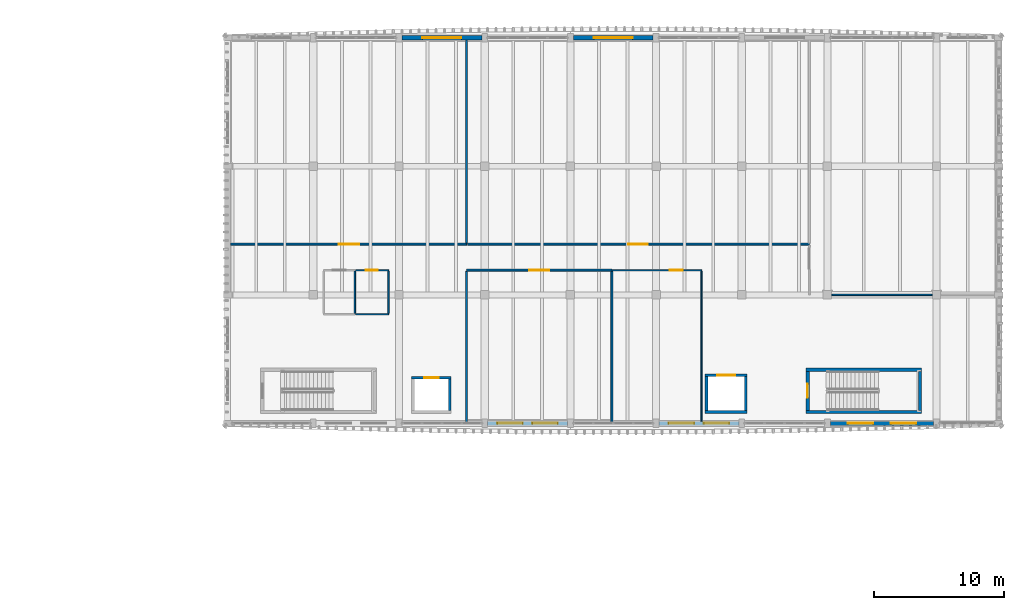
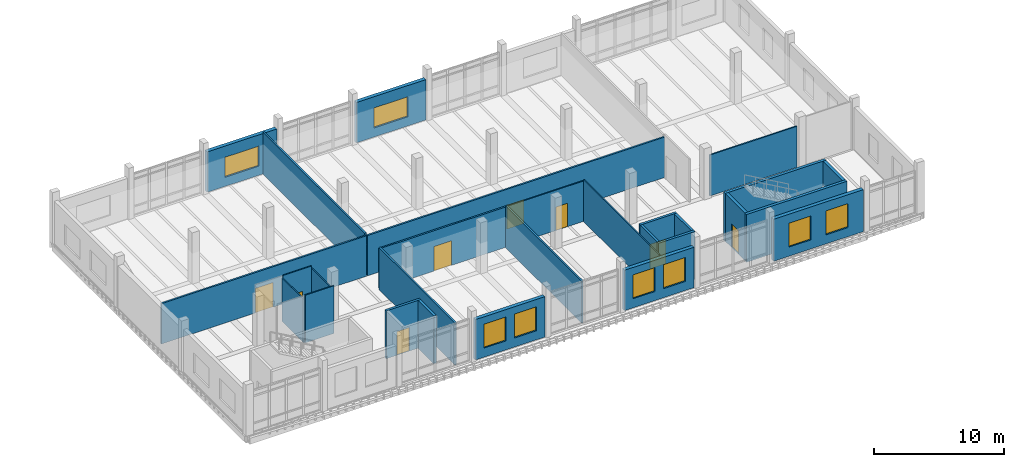
# One storey, part 32 of 50: 28 walls, 8 doors, 8 windows, 16 openings.
"""IFC4 building model written with IfcOpenShell, lengths in metres."""

import ifcopenshell
import ifcopenshell.guid

model = None  # the IFC model being written
_history = None  # IfcOwnerHistory: only IFC2X3 demands one
_inside = {}  # id of a spatial element -> (the spatial element, [elements in it])
_under = {}  # id of a project, library or spatial element -> (it, [spatial elements below it])
_declared = {}  # id of a project -> (the project, [libraries it declares])
_typed = {}  # id of a type object -> (the type object, [elements of that type])
_made_of = {}  # id of a material, layer set ... -> (it, [elements and type objects made of it])


def new_model(schema):
    """Start an empty IFC model of exactly this schema.

    Asked for "IFC4X3", IfcOpenShell would pick the latest addendum, in which some entities
    have other attributes; the version numbers below select the first issue.
    IFC2X3 requires an IfcOwnerHistory on every rooted entity: one is made here for all.
    """
    global model, _history
    if schema == "IFC4X3":
        model = ifcopenshell.file(schema_version=(4, 3, 0, 0))
    else:
        model = ifcopenshell.file(schema=schema)
    _inside.clear()
    _under.clear()
    _declared.clear()
    _typed.clear()
    _made_of.clear()
    _history = None
    if model.schema == "IFC2X3":
        org = make("IfcOrganization", Name="unknown")
        user = make(
            "IfcPersonAndOrganization",
            ThePerson=make("IfcPerson", FamilyName="unknown"),
            TheOrganization=org,
        )
        app = make(
            "IfcApplication",
            ApplicationDeveloper=org,
            Version="unknown",
            ApplicationFullName="unknown",
            ApplicationIdentifier="unknown",
        )
        _history = make(
            "IfcOwnerHistory",
            OwningUser=user,
            OwningApplication=app,
            ChangeAction="ADDED",
            CreationDate=0,
        )
    return model


def make(cls, **values):
    """One entity of the class cls with the attributes given. An attribute that is None is left unset."""
    return model.create_entity(
        cls, **{name: value for name, value in values.items() if value is not None}
    )


def rooted(cls, **values):
    """An entity with a GlobalId (a new one), such as an element, a storey or a relation."""
    return make(cls, GlobalId=ifcopenshell.guid.new(), OwnerHistory=_history, **values)


def si_unit(unit_type, name, prefix=None):
    """IfcSIUnit, for example si_unit("LENGTHUNIT", "METRE", prefix="MILLI")."""
    return make("IfcSIUnit", UnitType=unit_type, Prefix=prefix, Name=name)


def assignment(units):
    """IfcUnitAssignment: the units of a project."""
    return None if units is None else make("IfcUnitAssignment", Units=units)


def point(xyz):
    """IfcCartesianPoint."""
    return None if xyz is None else make("IfcCartesianPoint", Coordinates=xyz)


def direction(xyz):
    """IfcDirection."""
    return None if xyz is None else make("IfcDirection", DirectionRatios=xyz)


def frame(location, z_axis=None, x_axis=None):
    """IfcAxis2Placement3D, a coordinate frame: its origin and axes. An axis left out is left unset."""
    return make(
        "IfcAxis2Placement3D",
        Location=point(location),
        Axis=direction(z_axis),
        RefDirection=direction(x_axis),
    )


def frame_2d(location, x_axis=None):
    """IfcAxis2Placement2D, a coordinate frame in the plane: its origin and x axis."""
    return make(
        "IfcAxis2Placement2D", Location=point(location), RefDirection=direction(x_axis)
    )


def origin():
    """The frame at (0, 0, 0) with its axes left unset."""
    return frame((0.0, 0.0, 0.0))


def place(relative_to, where):
    """IfcLocalPlacement: puts the frame where relative to a parent placement (None: the world)."""
    return make(
        "IfcLocalPlacement", PlacementRelTo=relative_to, RelativePlacement=where
    )


def context(
    kind, dimensions, precision=None, world=None, true_north=None, identifier=None
):
    """IfcGeometricRepresentationContext, for example the 3D "Model" context."""
    return make(
        "IfcGeometricRepresentationContext",
        ContextIdentifier=identifier,
        ContextType=kind,
        CoordinateSpaceDimension=dimensions,
        Precision=precision,
        WorldCoordinateSystem=world,
        TrueNorth=true_north,
    )


def subcontext(parent, identifier, kind, view, scale=None):
    """IfcGeometricRepresentationSubContext, for example "Body" below "Model"."""
    return make(
        "IfcGeometricRepresentationSubContext",
        ContextIdentifier=identifier,
        ContextType=kind,
        ParentContext=parent,
        TargetScale=scale,
        TargetView=view,
    )


def project(units=None, contexts=None):
    """IfcProject with its units and contexts."""
    return rooted(
        "IfcProject",
        Name="project",
        RepresentationContexts=contexts,
        UnitsInContext=assignment(units),
    )


def spatial(cls, under=None, at=None, **own):
    """A site, building, storey or space (cls), placed at a placement, below another one or the project."""
    s = rooted(cls, ObjectPlacement=at, **own)
    if under is not None:
        _under.setdefault(under.id(), (under, []))[1].append(s)
    return s


def profile(cls, at=None, kind="AREA", **sizes):
    """A parametric profile (cls). Its sizes go by their IFC names, for example OverallWidth=200.0."""
    return make(cls, ProfileType=kind, Position=at, **sizes)


def rectangle(**sizes):
    """IfcRectangleProfileDef."""
    return profile("IfcRectangleProfileDef", **sizes)


def extrude(swept, where, along, depth):
    """IfcExtrudedAreaSolid: the profile swept, set in the frame where, extruded along a direction by depth."""
    return make(
        "IfcExtrudedAreaSolid",
        SweptArea=swept,
        Position=where,
        ExtrudedDirection=direction(along),
        Depth=depth,
    )


def shape(context_of_items, identifier, shape_type, items):
    """IfcShapeRepresentation: the items that make up one representation, for example the "Body"."""
    return make(
        "IfcShapeRepresentation",
        ContextOfItems=context_of_items,
        RepresentationIdentifier=identifier,
        RepresentationType=shape_type,
        Items=items,
    )


def material(Name=None, Category=None):
    """IfcMaterial."""
    return make("IfcMaterial", Name=Name, Category=Category)


def layer(
    of_material, thickness, ventilated=None, Name=None, Category=None, Priority=None
):
    """IfcMaterialLayer: one layer of a wall or slab, of a material (None: an air gap)."""
    return make(
        "IfcMaterialLayer",
        Material=of_material,
        LayerThickness=thickness,
        IsVentilated=ventilated,
        Name=Name,
        Category=Category,
        Priority=Priority,
    )


def layer_set(layers, Name=None):
    """IfcMaterialLayerSet."""
    return make("IfcMaterialLayerSet", MaterialLayers=layers, LayerSetName=Name)


def made_of(thing, what):
    """Note that an element or type object is made of a material, layer set ...; save() writes the relation."""
    if what is not None:
        _made_of.setdefault(what.id(), (what, []))[1].append(thing)
    return thing


def type_object(cls, material=None, **own):
    """A type object (cls), such as IfcWallType, which elements share."""
    return made_of(rooted(cls, **own), material)


def element(
    cls,
    number,
    at=None,
    inside=None,
    cuts=None,
    type_object=None,
    material=None,
    context=None,
    identifier="Body",
    shape_type=None,
    held_by="IfcProductDefinitionShape",
    body=None,
    shapes=None,
    **own,
):
    """One element of the class cls, such as IfcWall. Its Tag is "e" and its number.

    at: its placement. inside: the storey or other place that contains it. cuts: it is an
    opening in that element (IfcRelVoidsElement). A single representation is given by context,
    identifier, shape_type and body (its items); several are given by shapes. held_by: the class
    of the entity that holds the representations. save() writes the other relations.
    """
    e = rooted(cls, Tag="e%d" % number, ObjectPlacement=at, **own)
    if body is not None:
        shapes = [shape(context, identifier, shape_type, body)]
    if shapes is not None:
        e.Representation = make(held_by, Representations=shapes)
    if inside is not None:
        _inside.setdefault(inside.id(), (inside, []))[1].append(e)
    if cuts is not None:
        rooted(
            "IfcRelVoidsElement", RelatingBuildingElement=cuts, RelatedOpeningElement=e
        )
    if type_object is not None:
        _typed.setdefault(type_object.id(), (type_object, []))[1].append(e)
    return made_of(e, material)


def fill(opening, filler):
    """IfcRelFillsElement: the door or window that sits in an opening."""
    return rooted(
        "IfcRelFillsElement",
        RelatingOpeningElement=opening,
        RelatedBuildingElement=filler,
    )


def aggregate(whole, parts):
    """IfcRelAggregates: a whole, such as a stair, and the parts it consists of."""
    return rooted("IfcRelAggregates", RelatingObject=whole, RelatedObjects=parts)


def save(model, path):
    """Write the relations noted so far, then the file.

    IfcRelAggregates (storeys below a building ...), IfcRelContainedInSpatialStructure (elements
    in a storey), IfcRelDefinesByType, IfcRelAssociatesMaterial and IfcRelDeclares: one each for
    every whole, place, type object, material and project.
    """
    for whole, parts in _under.values():
        aggregate(whole, parts)
    for where, things in _inside.values():
        rooted(
            "IfcRelContainedInSpatialStructure",
            RelatedElements=things,
            RelatingStructure=where,
        )
    for kind, things in _typed.values():
        rooted("IfcRelDefinesByType", RelatedObjects=things, RelatingType=kind)
    for what, things in _made_of.values():
        rooted("IfcRelAssociatesMaterial", RelatedObjects=things, RelatingMaterial=what)
    for by, libraries in _declared.values():
        rooted("IfcRelDeclares", RelatingContext=by, RelatedDefinitions=libraries)
    model.write(path)


model = new_model("IFC4")

# Units and contexts
model_context = context("Model", 3, precision=1e-05, world=origin(), true_north=direction((0.0, 1.0)))
body_context = subcontext(model_context, "Body", "Model", "MODEL_VIEW")
ifc_project = project(units=[si_unit("LENGTHUNIT", "METRE"), si_unit("AREAUNIT", "SQUARE_METRE"), si_unit("VOLUMEUNIT", "CUBIC_METRE"), si_unit("PLANEANGLEUNIT", "RADIAN"), si_unit("MASSUNIT", "GRAM", prefix="KILO")], contexts=[model_context])

# Site, building, storey
site_placement = place(None, origin())
site = spatial("IfcSite", under=ifc_project, at=site_placement, CompositionType="ELEMENT")
building_placement = place(site_placement, origin())
building = spatial("IfcBuilding", under=site, at=building_placement, Name="Dornvale Research Institute", CompositionType="ELEMENT")
storey_placement = place(building_placement, frame((0.0, 0.0, 19.800048828125)))
storey = spatial("IfcBuildingStorey", under=building, at=storey_placement, Name="L04", CompositionType="ELEMENT", Elevation=19.800048828125)

# Wall
ifc_material_1 = material(Name="Acoustic Insulated Double-Stud Laboratory Partition")
ifc_layer_1 = layer(ifc_material_1, 0.1201171875)
ifc_layer_set_1 = layer_set([ifc_layer_1], Name="Acoustic Insulated Double-Stud Laboratory Partition")
wall_type_1 = type_object("IfcWallType", Name="Partition_Dry_120", PredefinedType="PARTITIONING", material=ifc_layer_set_1)
wall_1_placement = place(storey_placement, frame((165.344970703125, 102.300048828125, 0.0), z_axis=(0.0, 0.0, 1.0), x_axis=(1.0, 0.0, 0.0)))
element("IfcWall", 1, at=wall_1_placement, inside=storey, type_object=wall_type_1, Name="L04 V4 interior partition #437", PredefinedType="PARTITIONING", context=body_context, shape_type="SweptSolid", body=[
    extrude(rectangle(XDim=7.7099609375, YDim=0.1201171875, at=frame_2d((3.85498046875, 0.0))), origin(), (0.0, 0.0, 1.0), 3.829833984375),
])

# Wall, opening, door
ifc_material_2 = material(Name="Acoustic Insulated Double-Stud Laboratory Partition")
ifc_layer_2 = layer(ifc_material_2, 0.14990234375)
ifc_layer_set_2 = layer_set([ifc_layer_2], Name="Acoustic Insulated Double-Stud Laboratory Partition")
wall_type_2 = type_object("IfcWallType", Name="Partition_Lab_150", PredefinedType="PARTITIONING", material=ifc_layer_set_2)
wall_2_placement = place(storey_placement, frame((119.0400390625, 106.199951171875, 0.0), z_axis=(0.0, 0.0, 1.0), x_axis=(1.0, 0.0, 0.0)))
wall_2 = element("IfcWall", 2, at=wall_2_placement, inside=storey, type_object=wall_type_2, Name="L04 V4 interior partition #433", PredefinedType="PARTITIONING", context=body_context, shape_type="SweptSolid", body=[
    extrude(rectangle(XDim=18.159912109375, YDim=0.14990234375, at=frame_2d((9.080078125, 0.0))), origin(), (0.0, 0.0, 1.0), 3.780029296875),
])
opening_1_placement = place(wall_2_placement, frame((8.320068359375, 0.0, 0.0)))
opening_1 = element("IfcOpeningElement", 3, at=opening_1_placement, cuts=wall_2, Name="Opening ID-05", PredefinedType="OPENING", context=body_context, shape_type="SweptSolid", body=[
    extrude(rectangle(XDim=1.56005859375, YDim=2.300048828125, at=frame_2d((0.780029296875, 1.14990234375))), frame((0.0, 0.08984375, 0.0), z_axis=(0.0, -1.0, 0.0), x_axis=(1.0, 0.0, 0.0)), (0.0, 0.0, 1.0), 0.179931640625),
])
ifc_material_3 = material(Name="Insulated Fire-Rated Hollow Metal Door Assembly")
door_type_1 = type_object("IfcDoorType", Name="Door_WetLab_1560x2300", OperationType="SINGLE_SWING_LEFT", PredefinedType="DOOR", material=ifc_material_3)
door_1_placement = place(opening_1_placement, origin())
door_1 = element("IfcDoor", 4, at=door_1_placement, inside=storey, type_object=door_type_1, Name="L04 Environmental Geochemistry Wet Laboratory door #176", OperationType="SINGLE_SWING_LEFT", OverallHeight=2.300048828125, OverallWidth=1.56005859375, PredefinedType="DOOR", context=body_context, shape_type="SweptSolid", body=[
    extrude(rectangle(XDim=1.56005859375, YDim=2.300048828125, at=frame_2d((0.780029296875, 1.14990234375))), frame((0.0, 0.02490234375, 0.0), z_axis=(0.0, -1.0, 0.0), x_axis=(1.0, 0.0, 0.0)), (0.0, 0.0, 1.0), 0.050048828125),
])
fill(opening_1, door_1)

# Wall
wall_3_placement = place(storey_placement, frame((137.199951171875, 106.2900390625, 0.0), z_axis=(0.0, 0.0, 1.0), x_axis=(0.0, 1.0, 0.0)))
element("IfcWall", 5, at=wall_3_placement, inside=storey, type_object=wall_type_2, Name="L04 V4 interior partition #434", PredefinedType="PARTITIONING", context=body_context, shape_type="SweptSolid", body=[
    extrude(rectangle(XDim=15.635009765625, YDim=0.14990234375, at=frame_2d((7.8173828125, 0.0))), origin(), (0.0, 0.0, 1.0), 3.929931640625),
])

# Wall, opening, door
wall_4_placement = place(storey_placement, frame((137.2900390625, 106.199951171875, 0.0), z_axis=(0.0, 0.0, 1.0), x_axis=(1.0, 0.0, 0.0)))
wall_4 = element("IfcWall", 6, at=wall_4_placement, inside=storey, type_object=wall_type_2, Name="L04 V4 interior partition #435", PredefinedType="PARTITIONING", context=body_context, shape_type="SweptSolid", body=[
    extrude(rectangle(XDim=26.31005859375, YDim=0.14990234375, at=frame_2d((13.155029296875, 0.0))), origin(), (0.0, 0.0, 1.0), 3.780029296875),
])
opening_2_placement = place(wall_4_placement, frame((12.360107421875, 0.0, 0.0)))
opening_2 = element("IfcOpeningElement", 7, at=opening_2_placement, cuts=wall_4, Name="Opening ID-06", PredefinedType="OPENING", context=body_context, shape_type="SweptSolid", body=[
    extrude(rectangle(XDim=1.5, YDim=2.25, at=frame_2d((0.75, 1.125))), frame((0.0, 0.08984375, 0.0), z_axis=(0.0, -1.0, 0.0), x_axis=(1.0, 0.0, 0.0)), (0.0, 0.0, 1.0), 0.179931640625),
])
ifc_material_4 = material(Name="Insulated Fire-Rated Hollow Metal Door Assembly")
door_type_2 = type_object("IfcDoorType", Name="Door_WetLab_1500x2250", OperationType="SINGLE_SWING_LEFT", PredefinedType="DOOR", material=ifc_material_4)
door_2_placement = place(opening_2_placement, origin())
door_2 = element("IfcDoor", 8, at=door_2_placement, inside=storey, type_object=door_type_2, Name="L04 Biomolecular NMR Spectroscopy Suite door #177", OperationType="SINGLE_SWING_RIGHT", OverallHeight=2.25, OverallWidth=1.5, PredefinedType="DOOR", context=body_context, shape_type="SweptSolid", body=[
    extrude(rectangle(XDim=1.5, YDim=2.25, at=frame_2d((0.75, 1.125))), frame((0.0, 0.02490234375, 0.0), z_axis=(0.0, -1.0, 0.0), x_axis=(1.0, 0.0, 0.0)), (0.0, 0.0, 1.0), 0.050048828125),
])
fill(opening_2, door_2)

wall_5_placement = place(storey_placement, frame((137.199951171875, 104.199951171875, 0.0), z_axis=(0.0, 0.0, 1.0), x_axis=(1.0, 0.0, 0.0)))
wall_5 = element("IfcWall", 9, at=wall_5_placement, inside=storey, type_object=wall_type_2, Name="L04 V4 interior partition #440", PredefinedType="PARTITIONING", context=body_context, shape_type="SweptSolid", body=[
    extrude(rectangle(XDim=11.199951171875, YDim=0.14990234375, at=frame_2d((5.60009765625, 0.0))), origin(), (0.0, 0.0, 1.0), 3.780029296875),
])
opening_3_placement = place(wall_5_placement, frame((4.820068359375, 0.0, 0.0)))
opening_3 = element("IfcOpeningElement", 10, at=opening_3_placement, cuts=wall_5, Name="Opening ID-05", PredefinedType="OPENING", context=body_context, shape_type="SweptSolid", body=[
    extrude(rectangle(XDim=1.56005859375, YDim=2.300048828125, at=frame_2d((0.780029296875, 1.14990234375))), frame((0.0, 0.08984375, 0.0), z_axis=(0.0, -1.0, 0.0), x_axis=(1.0, 0.0, 0.0)), (0.0, 0.0, 1.0), 0.179931640625),
])
door_3_placement = place(opening_3_placement, origin())
door_3 = element("IfcDoor", 11, at=door_3_placement, inside=storey, type_object=door_type_1, Name="L04 Laboratory Instrument Support Room L04 door #179", OperationType="SINGLE_SWING_RIGHT", OverallHeight=2.300048828125, OverallWidth=1.56005859375, PredefinedType="DOOR", context=body_context, shape_type="SweptSolid", body=[
    extrude(rectangle(XDim=1.56005859375, YDim=2.300048828125, at=frame_2d((0.780029296875, 1.14990234375))), frame((0.0, 0.02490234375, 0.0), z_axis=(0.0, -1.0, 0.0), x_axis=(1.0, 0.0, 0.0)), (0.0, 0.0, 1.0), 0.050048828125),
])
fill(opening_3, door_3)

# Walls
for number, where, z_axis, x_axis, name in (
    (12, (137.199951171875, 92.43994140625, 0.0), (0.0, 0.0, 1.0), (0.0, 1.0, 0.0), "L04 V4 interior partition #441"),
    (13, (148.39990234375, 92.43994140625, 0.0), (0.0, 0.0, 1.0), (0.0, 1.0, 0.0), "L04 V4 interior partition #442"),
):
    element("IfcWall", number, at=place(storey_placement, frame(where, z_axis=z_axis, x_axis=x_axis)), inside=storey, type_object=wall_type_2, Name=name, PredefinedType="PARTITIONING", context=body_context, shape_type="SweptSolid", body=[
        extrude(rectangle(XDim=11.670166015625, YDim=0.14990234375, at=frame_2d((5.8349609375, 0.0))), origin(), (0.0, 0.0, 1.0), 3.929931640625),
    ])
ifc_material_5 = material(Name="Acoustic Insulated Double-Stud Laboratory Partition")
ifc_layer_3 = layer(ifc_material_5, 0.10009765625)
ifc_layer_set_3 = layer_set([ifc_layer_3], Name="Acoustic Insulated Double-Stud Laboratory Partition")
wall_type_3 = type_object("IfcWallType", Name="Partition_Office_100", PredefinedType="PARTITIONING", material=ifc_layer_set_3)
wall_6_placement = place(storey_placement, frame((128.60009765625, 100.864990234375, 0.0), z_axis=(0.0, 0.0, 1.0), x_axis=(0.0, 1.0, 0.0)))
element("IfcWall", 14, at=wall_6_placement, inside=storey, type_object=wall_type_3, Name="L04 V4 interior partition #429", PredefinedType="PARTITIONING", context=body_context, shape_type="SweptSolid", body=[
    extrude(rectangle(XDim=3.27001953125, YDim=0.10009765625, at=frame_2d((1.635009765625, 0.0))), origin(), (0.0, 0.0, 1.0), 4.06494140625),
])
wall_7_placement = place(storey_placement, frame((128.6650390625, 100.800048828125, 0.0), z_axis=(0.0, 0.0, 1.0), x_axis=(1.0, 0.0, 0.0)))
element("IfcWall", 15, at=wall_7_placement, inside=storey, type_object=wall_type_3, Name="L04 V4 interior partition #430", PredefinedType="PARTITIONING", context=body_context, shape_type="SweptSolid", body=[
    extrude(rectangle(XDim=2.534912109375, YDim=0.10009765625, at=frame_2d((1.267578125, 0.0))), origin(), (0.0, 0.0, 1.0), 4.4599609375),
])

# Wall, opening, door
wall_8_placement = place(storey_placement, frame((128.6650390625, 104.199951171875, 0.0), z_axis=(0.0, 0.0, 1.0), x_axis=(1.0, 0.0, 0.0)))
wall_8 = element("IfcWall", 16, at=wall_8_placement, inside=storey, type_object=wall_type_3, Name="L04 V4 interior partition #431", PredefinedType="PARTITIONING", context=body_context, shape_type="SweptSolid", body=[
    extrude(rectangle(XDim=2.534912109375, YDim=0.10009765625, at=frame_2d((1.267578125, 0.0))), origin(), (0.0, 0.0, 1.0), 4.244873046875),
])
opening_4_placement = place(wall_8_placement, frame((0.760009765625, 0.0, 0.0)))
opening_4 = element("IfcOpeningElement", 17, at=opening_4_placement, cuts=wall_8, Name="Opening ID-23", PredefinedType="OPENING", context=body_context, shape_type="SweptSolid", body=[
    extrude(rectangle(XDim=0.949951171875, YDim=2.14990234375, at=frame_2d((0.47509765625, 1.074951171875))), frame((0.0, 0.06494140625, 0.0), z_axis=(0.0, -1.0, 0.0), x_axis=(1.0, 0.0, 0.0)), (0.0, 0.0, 1.0), 0.130126953125),
])
ifc_material_6 = material(Name="Phenolic-Faced Solid-Core Laboratory Door Assembly")
door_type_3 = type_object("IfcDoorType", Name="Door_WC_950x2150", OperationType="SINGLE_SWING_LEFT", PredefinedType="DOOR", material=ifc_material_6)
door_4_placement = place(opening_4_placement, origin())
door_4 = element("IfcDoor", 18, at=door_4_placement, inside=storey, type_object=door_type_3, Name="L04 Wet Wing Female and Accessible Restroom L04 door #175", OperationType="SINGLE_SWING_RIGHT", OverallHeight=2.14990234375, OverallWidth=0.949951171875, PredefinedType="DOOR", context=body_context, shape_type="SweptSolid", body=[
    extrude(rectangle(XDim=0.949951171875, YDim=2.14990234375, at=frame_2d((0.47509765625, 1.074951171875))), frame((0.0, 0.02490234375, 0.0), z_axis=(0.0, -1.0, 0.0), x_axis=(1.0, 0.0, 0.0)), (0.0, 0.0, 1.0), 0.050048828125),
])
fill(opening_4, door_4)

# Wall
wall_9_placement = place(storey_placement, frame((131.199951171875, 100.864990234375, 0.0), z_axis=(0.0, 0.0, 1.0), x_axis=(0.0, 1.0, 0.0)))
element("IfcWall", 19, at=wall_9_placement, inside=storey, type_object=wall_type_3, Name="L04 V4 interior partition #432", PredefinedType="PARTITIONING", context=body_context, shape_type="SweptSolid", body=[
    extrude(rectangle(XDim=3.27001953125, YDim=0.10009765625, at=frame_2d((1.635009765625, 0.0))), origin(), (0.0, 0.0, 1.0), 4.06494140625),
])

# Wall, opening, door
wall_10_placement = place(storey_placement, frame((148.4150390625, 104.199951171875, 0.0), z_axis=(0.0, 0.0, 1.0), x_axis=(1.0, 0.0, 0.0)))
wall_10 = element("IfcWall", 20, at=wall_10_placement, inside=storey, type_object=wall_type_3, Name="L04 V4 interior partition #443", PredefinedType="PARTITIONING", context=body_context, shape_type="SweptSolid", body=[
    extrude(rectangle(XDim=6.885009765625, YDim=0.10009765625, at=frame_2d((3.4423828125, 0.0))), origin(), (0.0, 0.0, 1.0), 3.780029296875),
])
opening_5_placement = place(wall_10_placement, frame((4.425048828125, 0.0, 0.0)))
opening_5 = element("IfcOpeningElement", 21, at=opening_5_placement, cuts=wall_10, Name="Opening ID-20", PredefinedType="OPENING", context=body_context, shape_type="SweptSolid", body=[
    extrude(rectangle(XDim=1.02001953125, YDim=2.199951171875, at=frame_2d((0.510009765625, 1.10009765625))), frame((0.0, 0.06494140625, 0.0), z_axis=(0.0, -1.0, 0.0), x_axis=(1.0, 0.0, 0.0)), (0.0, 0.0, 1.0), 0.130126953125),
])
ifc_material_7 = material(Name="Phenolic-Faced Solid-Core Laboratory Door Assembly")
door_type_4 = type_object("IfcDoorType", Name="Door_WriteUp_1020x2200", OperationType="SINGLE_SWING_LEFT", PredefinedType="DOOR", material=ifc_material_7)
door_5_placement = place(opening_5_placement, origin())
door_5 = element("IfcDoor", 22, at=door_5_placement, inside=storey, type_object=door_type_4, Name="L04 Wet Laboratory Write-Up Bays L04 door #180", OperationType="SINGLE_SWING_LEFT", OverallHeight=2.199951171875, OverallWidth=1.02001953125, PredefinedType="DOOR", context=body_context, shape_type="SweptSolid", body=[
    extrude(rectangle(XDim=1.02001953125, YDim=2.199951171875, at=frame_2d((0.510009765625, 1.10009765625))), frame((0.0, 0.02490234375, 0.0), z_axis=(0.0, -1.0, 0.0), x_axis=(1.0, 0.0, 0.0)), (0.0, 0.0, 1.0), 0.050048828125),
])
fill(opening_5, door_5)

# Walls
wall_11_placement = place(storey_placement, frame((155.300048828125, 92.574951171875, 0.0), z_axis=(0.0, 0.0, 1.0), x_axis=(0.0, 1.0, 0.0)))
element("IfcWall", 23, at=wall_11_placement, inside=storey, type_object=wall_type_3, Name="L04 V4 interior partition #444", PredefinedType="PARTITIONING", context=body_context, shape_type="SweptSolid", body=[
    extrude(rectangle(XDim=11.56005859375, YDim=0.10009765625, at=frame_2d((5.780029296875, 0.0))), origin(), (0.0, 0.0, 1.0), 3.929931640625),
])
ifc_material_8 = material(Name="Concrete f'c 45 MPa (C35/45)", Category="concrete")
ifc_layer_4 = layer(ifc_material_8, 0.25)
ifc_layer_set_4 = layer_set([ifc_layer_4], Name="Concrete f'c 45 MPa (C35/45)")
wall_type_4 = type_object("IfcWallType", Name="ShearWall_Core_250", PredefinedType="SHEAR", material=ifc_layer_set_4)
for number, where, z_axis, x_axis, name in (
    (24, (163.35009765625, 93.27490234375, 0.0), (0.0, 0.0, 1.0), (1.0, 0.0, 0.0), "L04 ST-4 shaft shear wall south"),
    (25, (163.35009765625, 96.52490234375, 0.0), (0.0, 0.0, 1.0), (1.0, 0.0, 0.0), "L04 ST-4 shaft shear wall north"),
):
    element("IfcWall", number, at=place(storey_placement, frame(where, z_axis=z_axis, x_axis=x_axis)), inside=storey, type_object=wall_type_4, Name=name, PredefinedType="SHEAR", context=body_context, shape_type="SweptSolid", body=[
        extrude(rectangle(XDim=8.89990234375, YDim=0.25, at=frame_2d((4.449951171875, 0.0))), origin(), (0.0, 0.0, 1.0), 4.47998046875),
    ])

# Wall, opening, door
wall_12_placement = place(storey_placement, frame((163.47509765625, 93.39990234375, 0.0), z_axis=(0.0, 0.0, 1.0), x_axis=(0.0, 1.0, 0.0)))
wall_12 = element("IfcWall", 26, at=wall_12_placement, inside=storey, type_object=wall_type_4, Name="L04 ST-4 shaft shear wall west", PredefinedType="SHEAR", context=body_context, shape_type="SweptSolid", body=[
    extrude(rectangle(XDim=3.0, YDim=0.25, at=frame_2d((1.5, 0.0))), origin(), (0.0, 0.0, 1.0), 4.47998046875),
])
opening_6_placement = place(wall_12_placement, frame((0.9599609375, 0.0, 0.0)))
opening_6 = element("IfcOpeningElement", 27, at=opening_6_placement, cuts=wall_12, Name="Opening SD-02", PredefinedType="OPENING", context=body_context, shape_type="SweptSolid", body=[
    extrude(rectangle(XDim=1.080078125, YDim=2.199951171875, at=frame_2d((0.5400390625, 1.10009765625))), frame((0.0, 0.139892578125, 0.0), z_axis=(0.0, -1.0, 0.0), x_axis=(1.0, 0.0, 0.0)), (0.0, 0.0, 1.0), 0.280029296875),
])
ifc_material_9 = material(Name="Insulated Fire-Rated Hollow Metal Door Assembly")
door_type_5 = type_object("IfcDoorType", Name="Door_Stair_1080x2200", OperationType="SINGLE_SWING_LEFT", PredefinedType="DOOR", material=ifc_material_9)
door_6_placement = place(opening_6_placement, origin())
door_6 = element("IfcDoor", 28, at=door_6_placement, inside=storey, type_object=door_type_5, Name="L04 ST-4 exit stair door #38", OperationType="SINGLE_SWING_LEFT", OverallHeight=2.199951171875, OverallWidth=1.080078125, PredefinedType="DOOR", context=body_context, shape_type="SweptSolid", body=[
    extrude(rectangle(XDim=1.080078125, YDim=2.199951171875, at=frame_2d((0.5400390625, 1.10009765625))), frame((0.0, 0.02490234375, 0.0), z_axis=(0.0, -1.0, 0.0), x_axis=(1.0, 0.0, 0.0)), (0.0, 0.0, 1.0), 0.050048828125),
])
fill(opening_6, door_6)

# Wall
wall_13_placement = place(storey_placement, frame((172.125, 93.39990234375, 0.0), z_axis=(0.0, 0.0, 1.0), x_axis=(0.0, 1.0, 0.0)))
element("IfcWall", 29, at=wall_13_placement, inside=storey, type_object=wall_type_4, Name="L04 ST-4 shaft shear wall east", PredefinedType="SHEAR", context=body_context, shape_type="SweptSolid", body=[
    extrude(rectangle(XDim=3.0, YDim=0.25, at=frame_2d((1.5, 0.0))), origin(), (0.0, 0.0, 1.0), 4.47998046875),
])

# Wall, opening, door
ifc_material_10 = material(Name="Concrete f'c 45 MPa (C35/45)", Category="concrete")
ifc_layer_5 = layer(ifc_material_10, 0.219970703125)
ifc_layer_set_5 = layer_set([ifc_layer_5], Name="Concrete f'c 45 MPa (C35/45)")
wall_type_5 = type_object("IfcWallType", Name="ShearWall_Shaft_220", PredefinedType="SHEAR", material=ifc_layer_set_5)
wall_14_placement = place(storey_placement, frame((132.97998046875, 95.909912109375, 0.0), z_axis=(0.0, 0.0, 1.0), x_axis=(1.0, 0.0, 0.0)))
wall_14 = element("IfcWall", 30, at=wall_14_placement, inside=storey, type_object=wall_type_5, Name="L04 LP2 elevator shaft wall north", PredefinedType="SHEAR", context=body_context, shape_type="SweptSolid", body=[
    extrude(rectangle(XDim=3.0400390625, YDim=0.219970703125, at=frame_2d((1.52001953125, 0.0))), origin(), (0.0, 0.0, 1.0), 4.47998046875),
])
opening_7_placement = place(wall_14_placement, frame((0.969970703125, 0.0, 0.0)))
opening_7 = element("IfcOpeningElement", 31, at=opening_7_placement, cuts=wall_14, Name="Opening LD-02", PredefinedType="OPENING", context=body_context, shape_type="SweptSolid", body=[
    extrude(rectangle(XDim=1.10009765625, YDim=2.199951171875, at=frame_2d((0.550048828125, 1.10009765625))), frame((0.0, 0.125, 0.0), z_axis=(0.0, -1.0, 0.0), x_axis=(1.0, 0.0, 0.0)), (0.0, 0.0, 1.0), 0.25),
])
ifc_material_11 = material(Name="Brushed Stainless Steel Sliding Elevator Landing Door", Category="steel")
door_type_6 = type_object("IfcDoorType", Name="Door_LiftLanding_Pass_1100x2200", OperationType="SINGLE_SWING_LEFT", PredefinedType="DOOR", material=ifc_material_11)
door_7_placement = place(opening_7_placement, origin())
door_7 = element("IfcDoor", 32, at=door_7_placement, inside=storey, type_object=door_type_6, Name="L04 LP2 sliding elevator landing door #42", OperationType="SLIDING_TO_LEFT", OverallHeight=2.199951171875, OverallWidth=1.10009765625, PredefinedType="DOOR", context=body_context, shape_type="SweptSolid", body=[
    extrude(rectangle(XDim=1.10009765625, YDim=2.199951171875, at=frame_2d((0.550048828125, 1.10009765625))), frame((0.0, 0.02490234375, 0.0), z_axis=(0.0, -1.0, 0.0), x_axis=(1.0, 0.0, 0.0)), (0.0, 0.0, 1.0), 0.050048828125),
])
fill(opening_7, door_7)

# Walls
wall_15_placement = place(storey_placement, frame((135.909912109375, 93.39990234375, 0.0), z_axis=(0.0, 0.0, 1.0), x_axis=(0.0, 1.0, 0.0)))
element("IfcWall", 33, at=wall_15_placement, inside=storey, type_object=wall_type_5, Name="L04 LP2 elevator shaft wall east", PredefinedType="SHEAR", context=body_context, shape_type="SweptSolid", body=[
    extrude(rectangle(XDim=2.400146484375, YDim=0.219970703125, at=frame_2d((1.2001953125, 0.0))), origin(), (0.0, 0.0, 1.0), 4.47998046875),
])
wall_16_placement = place(storey_placement, frame((155.580078125, 93.2900390625, 0.0), z_axis=(0.0, 0.0, 1.0), x_axis=(1.0, 0.0, 0.0)))
element("IfcWall", 34, at=wall_16_placement, inside=storey, type_object=wall_type_5, Name="L04 LS1 elevator shaft wall south", PredefinedType="SHEAR", context=body_context, shape_type="SweptSolid", body=[
    extrude(rectangle(XDim=3.239990234375, YDim=0.219970703125, at=frame_2d((1.6201171875, 0.0))), origin(), (0.0, 0.0, 1.0), 4.47998046875),
])

# Wall, opening, door
wall_17_placement = place(storey_placement, frame((155.580078125, 96.110107421875, 0.0), z_axis=(0.0, 0.0, 1.0), x_axis=(1.0, 0.0, 0.0)))
wall_17 = element("IfcWall", 35, at=wall_17_placement, inside=storey, type_object=wall_type_5, Name="L04 LS1 elevator shaft wall north", PredefinedType="SHEAR", context=body_context, shape_type="SweptSolid", body=[
    extrude(rectangle(XDim=3.239990234375, YDim=0.219970703125, at=frame_2d((1.6201171875, 0.0))), origin(), (0.0, 0.0, 1.0), 4.47998046875),
])
opening_8_placement = place(wall_17_placement, frame((0.919921875, 0.0, 0.0)))
opening_8 = element("IfcOpeningElement", 36, at=opening_8_placement, cuts=wall_17, Name="Opening LD-03", PredefinedType="OPENING", context=body_context, shape_type="SweptSolid", body=[
    extrude(rectangle(XDim=1.39990234375, YDim=2.300048828125, at=frame_2d((0.699951171875, 1.14990234375))), frame((0.0, 0.125, 0.0), z_axis=(0.0, -1.0, 0.0), x_axis=(1.0, 0.0, 0.0)), (0.0, 0.0, 1.0), 0.25),
])
ifc_material_12 = material(Name="Brushed Stainless Steel Sliding Elevator Landing Door", Category="steel")
door_type_7 = type_object("IfcDoorType", Name="Door_LiftLanding_Serv_1400x2300", OperationType="SINGLE_SWING_LEFT", PredefinedType="DOOR", material=ifc_material_12)
door_8_placement = place(opening_8_placement, origin())
door_8 = element("IfcDoor", 37, at=door_8_placement, inside=storey, type_object=door_type_7, Name="L04 LS1 sliding elevator landing door #50", OperationType="DOUBLE_DOOR_SLIDING", OverallHeight=2.300048828125, OverallWidth=1.39990234375, PredefinedType="DOOR", context=body_context, shape_type="SweptSolid", body=[
    extrude(rectangle(XDim=1.39990234375, YDim=2.300048828125, at=frame_2d((0.699951171875, 1.14990234375))), frame((0.0, 0.02490234375, 0.0), z_axis=(0.0, -1.0, 0.0), x_axis=(1.0, 0.0, 0.0)), (0.0, 0.0, 1.0), 0.050048828125),
])
fill(opening_8, door_8)

# Walls
for number, where, z_axis, x_axis, name in (
    (38, (155.68994140625, 93.39990234375, 0.0), (0.0, 0.0, 1.0), (0.0, 1.0, 0.0), "L04 LS1 elevator shaft wall west"),
    (39, (158.7099609375, 93.39990234375, 0.0), (0.0, 0.0, 1.0), (0.0, 1.0, 0.0), "L04 LS1 elevator shaft wall east"),
):
    element("IfcWall", number, at=place(storey_placement, frame(where, z_axis=z_axis, x_axis=x_axis)), inside=storey, type_object=wall_type_5, Name=name, PredefinedType="SHEAR", context=body_context, shape_type="SweptSolid", body=[
        extrude(rectangle(XDim=2.60009765625, YDim=0.219970703125, at=frame_2d((1.300048828125, 0.0))), origin(), (0.0, 0.0, 1.0), 4.47998046875),
    ])

# Wall, opening, window
ifc_material_13 = material(Name="Catalan Pressed Brick and Insulated Cavity Assembly", Category="masonry")
ifc_layer_6 = layer(ifc_material_13, 0.320068359375)
ifc_layer_set_6 = layer_set([ifc_layer_6], Name="Catalan Pressed Brick and Insulated Cavity Assembly")
wall_type_6 = type_object("IfcWallType", Name="StandardWall_BrickCavity_320", PredefinedType="STANDARD", material=ifc_layer_set_6)
wall_18_placement = place(storey_placement, frame((132.22509765625, 122.10009765625, 0.0), z_axis=(0.0, 0.0, 1.0), x_axis=(1.0, 0.0, 0.0)))
wall_18 = element("IfcWall", 40, at=wall_18_placement, inside=storey, type_object=wall_type_6, Name="L04 V4 north exterior wall #250", PredefinedType="STANDARD", context=body_context, shape_type="SweptSolid", body=[
    extrude(rectangle(XDim=6.14990234375, YDim=0.320068359375, at=frame_2d((3.074951171875, 0.0))), origin(), (0.0, 0.0, 1.0), 3.780029296875),
])
opening_9_placement = place(wall_18_placement, frame((1.574951171875, 0.0, 0.85009765625)))
opening_9 = element("IfcOpeningElement", 41, at=opening_9_placement, cuts=wall_18, Name="Opening W-36", PredefinedType="OPENING", context=body_context, shape_type="SweptSolid", body=[
    extrude(rectangle(XDim=3.0, YDim=1.8798828125, at=frame_2d((1.5, 0.93994140625))), frame((0.0, 0.175048828125, 0.0), z_axis=(0.0, -1.0, 0.0), x_axis=(1.0, 0.0, 0.0)), (0.0, 0.0, 1.0), 0.35009765625),
])
ifc_material_14 = material(Name="Low-E Argon Double Insulating Glazing Unit", Category="glass")
window_type_1 = type_object("IfcWindowType", Name="Window_Alu_3000x1880_36", PartitioningType="DOUBLE_PANEL_VERTICAL", PredefinedType="WINDOW", material=ifc_material_14)
window_1_placement = place(opening_9_placement, origin())
window_1 = element("IfcWindow", 42, at=window_1_placement, inside=storey, type_object=window_type_1, Name="L04 V4 facade window W-36 #339", OverallHeight=1.8798828125, OverallWidth=3.0, PartitioningType="DOUBLE_PANEL_VERTICAL", PredefinedType="WINDOW", context=body_context, shape_type="SweptSolid", body=[
    extrude(rectangle(XDim=3.0, YDim=1.8798828125, at=frame_2d((1.5, 0.93994140625))), frame((0.0, 0.030029296875, 0.0), z_axis=(0.0, -1.0, 0.0), x_axis=(1.0, 0.0, 0.0)), (0.0, 0.0, 1.0), 0.06005859375),
])
fill(opening_9, window_1)

wall_19_placement = place(storey_placement, frame((145.425048828125, 122.10009765625, 0.0), z_axis=(0.0, 0.0, 1.0), x_axis=(1.0, 0.0, 0.0)))
wall_19 = element("IfcWall", 43, at=wall_19_placement, inside=storey, type_object=wall_type_6, Name="L04 V4 north exterior wall #251", PredefinedType="STANDARD", context=body_context, shape_type="SweptSolid", body=[
    extrude(rectangle(XDim=6.14990234375, YDim=0.320068359375, at=frame_2d((3.074951171875, 0.0))), origin(), (0.0, 0.0, 1.0), 3.780029296875),
])
opening_10_placement = place(wall_19_placement, frame((1.574951171875, 0.0, 0.85009765625)))
opening_10 = element("IfcOpeningElement", 44, at=opening_10_placement, cuts=wall_19, Name="Opening W-36", PredefinedType="OPENING", context=body_context, shape_type="SweptSolid", body=[
    extrude(rectangle(XDim=3.0, YDim=1.8798828125, at=frame_2d((1.5, 0.93994140625))), frame((0.0, 0.175048828125, 0.0), z_axis=(0.0, -1.0, 0.0), x_axis=(1.0, 0.0, 0.0)), (0.0, 0.0, 1.0), 0.35009765625),
])
window_2_placement = place(opening_10_placement, origin())
window_2 = element("IfcWindow", 45, at=window_2_placement, inside=storey, type_object=window_type_1, Name="L04 V4 facade window W-36 #340", OverallHeight=1.8798828125, OverallWidth=3.0, PartitioningType="DOUBLE_PANEL_VERTICAL", PredefinedType="WINDOW", context=body_context, shape_type="SweptSolid", body=[
    extrude(rectangle(XDim=3.0, YDim=1.8798828125, at=frame_2d((1.5, 0.93994140625))), frame((0.0, 0.030029296875, 0.0), z_axis=(0.0, -1.0, 0.0), x_axis=(1.0, 0.0, 0.0)), (0.0, 0.0, 1.0), 0.06005859375),
])
fill(opening_10, window_2)

# Wall, openings, windows
wall_20_placement = place(storey_placement, frame((173.175048828125, 92.39990234375, 0.0), z_axis=(0.0, 0.0, 1.0), x_axis=(-1.0, 0.0, 0.0)))
wall_20 = element("IfcWall", 46, at=wall_20_placement, inside=storey, type_object=wall_type_6, Name="L04 V4 south exterior wall #257", PredefinedType="STANDARD", context=body_context, shape_type="SweptSolid", body=[
    extrude(rectangle(XDim=7.949951171875, YDim=0.320068359375, at=frame_2d((3.97509765625, 0.0))), origin(), (0.0, 0.0, 1.0), 3.929931640625),
])
opening_11_placement = place(wall_20_placement, frame((1.35009765625, 0.0, 0.85009765625)))
opening_11 = element("IfcOpeningElement", 47, at=opening_11_placement, cuts=wall_20, Name="Opening W-42", PredefinedType="OPENING", context=body_context, shape_type="SweptSolid", body=[
    extrude(rectangle(XDim=1.949951171875, YDim=2.239990234375, at=frame_2d((0.97509765625, 1.1201171875))), frame((0.0, 0.175048828125, 0.0), z_axis=(0.0, -1.0, 0.0), x_axis=(1.0, 0.0, 0.0)), (0.0, 0.0, 1.0), 0.35009765625),
])
opening_12_placement = place(wall_20_placement, frame((4.64990234375, 0.0, 0.85009765625)))
opening_12 = element("IfcOpeningElement", 48, at=opening_12_placement, cuts=wall_20, Name="Opening W-42", PredefinedType="OPENING", context=body_context, shape_type="SweptSolid", body=[
    extrude(rectangle(XDim=1.949951171875, YDim=2.239990234375, at=frame_2d((0.97509765625, 1.1201171875))), frame((0.0, 0.175048828125, 0.0), z_axis=(0.0, -1.0, 0.0), x_axis=(1.0, 0.0, 0.0)), (0.0, 0.0, 1.0), 0.35009765625),
])
ifc_material_15 = material(Name="Low-E Argon Double Insulating Glazing Unit", Category="glass")
window_type_2 = type_object("IfcWindowType", Name="Window_Alu_1950x2240_42", PartitioningType="DOUBLE_PANEL_VERTICAL", PredefinedType="WINDOW", material=ifc_material_15)
window_3_placement = place(opening_11_placement, origin())
window_3 = element("IfcWindow", 49, at=window_3_placement, inside=storey, type_object=window_type_2, Name="L04 V4 facade window W-42 #349", OverallHeight=2.239990234375, OverallWidth=1.949951171875, PartitioningType="DOUBLE_PANEL_VERTICAL", PredefinedType="WINDOW", context=body_context, shape_type="SweptSolid", body=[
    extrude(rectangle(XDim=1.949951171875, YDim=2.239990234375, at=frame_2d((0.97509765625, 1.1201171875))), frame((0.0, 0.030029296875, 0.0), z_axis=(0.0, -1.0, 0.0), x_axis=(1.0, 0.0, 0.0)), (0.0, 0.0, 1.0), 0.06005859375),
])
fill(opening_11, window_3)
window_4_placement = place(opening_12_placement, origin())
window_4 = element("IfcWindow", 50, at=window_4_placement, inside=storey, type_object=window_type_2, Name="L04 V4 facade window W-42 #350", OverallHeight=2.239990234375, OverallWidth=1.949951171875, PartitioningType="DOUBLE_PANEL_VERTICAL", PredefinedType="WINDOW", context=body_context, shape_type="SweptSolid", body=[
    extrude(rectangle(XDim=1.949951171875, YDim=2.239990234375, at=frame_2d((0.97509765625, 1.1201171875))), frame((0.0, 0.030029296875, 0.0), z_axis=(0.0, -1.0, 0.0), x_axis=(1.0, 0.0, 0.0)), (0.0, 0.0, 1.0), 0.06005859375),
])
fill(opening_12, window_4)

wall_21_placement = place(storey_placement, frame((158.175048828125, 92.39990234375, 0.0), z_axis=(0.0, 0.0, 1.0), x_axis=(-1.0, 0.0, 0.0)))
wall_21 = element("IfcWall", 51, at=wall_21_placement, inside=storey, type_object=wall_type_6, Name="L04 V4 south exterior wall #258", PredefinedType="STANDARD", context=body_context, shape_type="SweptSolid", body=[
    extrude(rectangle(XDim=6.150146484375, YDim=0.320068359375, at=frame_2d((3.0751953125, 0.0))), origin(), (0.0, 0.0, 1.0), 3.780029296875),
])
opening_13_placement = place(wall_21_placement, frame((0.75, 0.0, 0.85009765625)))
opening_13 = element("IfcOpeningElement", 52, at=opening_13_placement, cuts=wall_21, Name="Opening W-42", PredefinedType="OPENING", context=body_context, shape_type="SweptSolid", body=[
    extrude(rectangle(XDim=1.949951171875, YDim=2.239990234375, at=frame_2d((0.97509765625, 1.1201171875))), frame((0.0, 0.175048828125, 0.0), z_axis=(0.0, -1.0, 0.0), x_axis=(1.0, 0.0, 0.0)), (0.0, 0.0, 1.0), 0.35009765625),
])
opening_14_placement = place(wall_21_placement, frame((3.449951171875, 0.0, 0.85009765625)))
opening_14 = element("IfcOpeningElement", 53, at=opening_14_placement, cuts=wall_21, Name="Opening W-42", PredefinedType="OPENING", context=body_context, shape_type="SweptSolid", body=[
    extrude(rectangle(XDim=1.949951171875, YDim=2.239990234375, at=frame_2d((0.97509765625, 1.1201171875))), frame((0.0, 0.175048828125, 0.0), z_axis=(0.0, -1.0, 0.0), x_axis=(1.0, 0.0, 0.0)), (0.0, 0.0, 1.0), 0.35009765625),
])
window_5_placement = place(opening_13_placement, origin())
window_5 = element("IfcWindow", 54, at=window_5_placement, inside=storey, type_object=window_type_2, Name="L04 V4 facade window W-42 #351", OverallHeight=2.239990234375, OverallWidth=1.949951171875, PartitioningType="DOUBLE_PANEL_VERTICAL", PredefinedType="WINDOW", context=body_context, shape_type="SweptSolid", body=[
    extrude(rectangle(XDim=1.949951171875, YDim=2.239990234375, at=frame_2d((0.97509765625, 1.1201171875))), frame((0.0, 0.030029296875, 0.0), z_axis=(0.0, -1.0, 0.0), x_axis=(1.0, 0.0, 0.0)), (0.0, 0.0, 1.0), 0.06005859375),
])
fill(opening_13, window_5)
window_6_placement = place(opening_14_placement, origin())
window_6 = element("IfcWindow", 55, at=window_6_placement, inside=storey, type_object=window_type_2, Name="L04 V4 facade window W-42 #352", OverallHeight=2.239990234375, OverallWidth=1.949951171875, PartitioningType="DOUBLE_PANEL_VERTICAL", PredefinedType="WINDOW", context=body_context, shape_type="SweptSolid", body=[
    extrude(rectangle(XDim=1.949951171875, YDim=2.239990234375, at=frame_2d((0.97509765625, 1.1201171875))), frame((0.0, 0.030029296875, 0.0), z_axis=(0.0, -1.0, 0.0), x_axis=(1.0, 0.0, 0.0)), (0.0, 0.0, 1.0), 0.06005859375),
])
fill(opening_14, window_6)

wall_22_placement = place(storey_placement, frame((144.97509765625, 92.39990234375, 0.0), z_axis=(0.0, 0.0, 1.0), x_axis=(-1.0, 0.0, 0.0)))
wall_22 = element("IfcWall", 56, at=wall_22_placement, inside=storey, type_object=wall_type_6, Name="L04 V4 south exterior wall #259", PredefinedType="STANDARD", context=body_context, shape_type="SweptSolid", body=[
    extrude(rectangle(XDim=6.150146484375, YDim=0.320068359375, at=frame_2d((3.0751953125, 0.0))), origin(), (0.0, 0.0, 1.0), 3.780029296875),
])
opening_15_placement = place(wall_22_placement, frame((0.75, 0.0, 0.85009765625)))
opening_15 = element("IfcOpeningElement", 57, at=opening_15_placement, cuts=wall_22, Name="Opening W-42", PredefinedType="OPENING", context=body_context, shape_type="SweptSolid", body=[
    extrude(rectangle(XDim=1.949951171875, YDim=2.239990234375, at=frame_2d((0.97509765625, 1.1201171875))), frame((0.0, 0.175048828125, 0.0), z_axis=(0.0, -1.0, 0.0), x_axis=(1.0, 0.0, 0.0)), (0.0, 0.0, 1.0), 0.35009765625),
])
opening_16_placement = place(wall_22_placement, frame((3.449951171875, 0.0, 0.85009765625)))
opening_16 = element("IfcOpeningElement", 58, at=opening_16_placement, cuts=wall_22, Name="Opening W-42", PredefinedType="OPENING", context=body_context, shape_type="SweptSolid", body=[
    extrude(rectangle(XDim=1.949951171875, YDim=2.239990234375, at=frame_2d((0.97509765625, 1.1201171875))), frame((0.0, 0.175048828125, 0.0), z_axis=(0.0, -1.0, 0.0), x_axis=(1.0, 0.0, 0.0)), (0.0, 0.0, 1.0), 0.35009765625),
])
window_7_placement = place(opening_15_placement, origin())
window_7 = element("IfcWindow", 59, at=window_7_placement, inside=storey, type_object=window_type_2, Name="L04 V4 facade window W-42 #353", OverallHeight=2.239990234375, OverallWidth=1.949951171875, PartitioningType="DOUBLE_PANEL_VERTICAL", PredefinedType="WINDOW", context=body_context, shape_type="SweptSolid", body=[
    extrude(rectangle(XDim=1.949951171875, YDim=2.239990234375, at=frame_2d((0.97509765625, 1.1201171875))), frame((0.0, 0.030029296875, 0.0), z_axis=(0.0, -1.0, 0.0), x_axis=(1.0, 0.0, 0.0)), (0.0, 0.0, 1.0), 0.06005859375),
])
fill(opening_15, window_7)
window_8_placement = place(opening_16_placement, origin())
window_8 = element("IfcWindow", 60, at=window_8_placement, inside=storey, type_object=window_type_2, Name="L04 V4 facade window W-42 #354", OverallHeight=2.239990234375, OverallWidth=1.949951171875, PartitioningType="DOUBLE_PANEL_VERTICAL", PredefinedType="WINDOW", context=body_context, shape_type="SweptSolid", body=[
    extrude(rectangle(XDim=1.949951171875, YDim=2.239990234375, at=frame_2d((0.97509765625, 1.1201171875))), frame((0.0, 0.030029296875, 0.0), z_axis=(0.0, -1.0, 0.0), x_axis=(1.0, 0.0, 0.0)), (0.0, 0.0, 1.0), 0.06005859375),
])
fill(opening_16, window_8)

save(model, "model.ifc")
